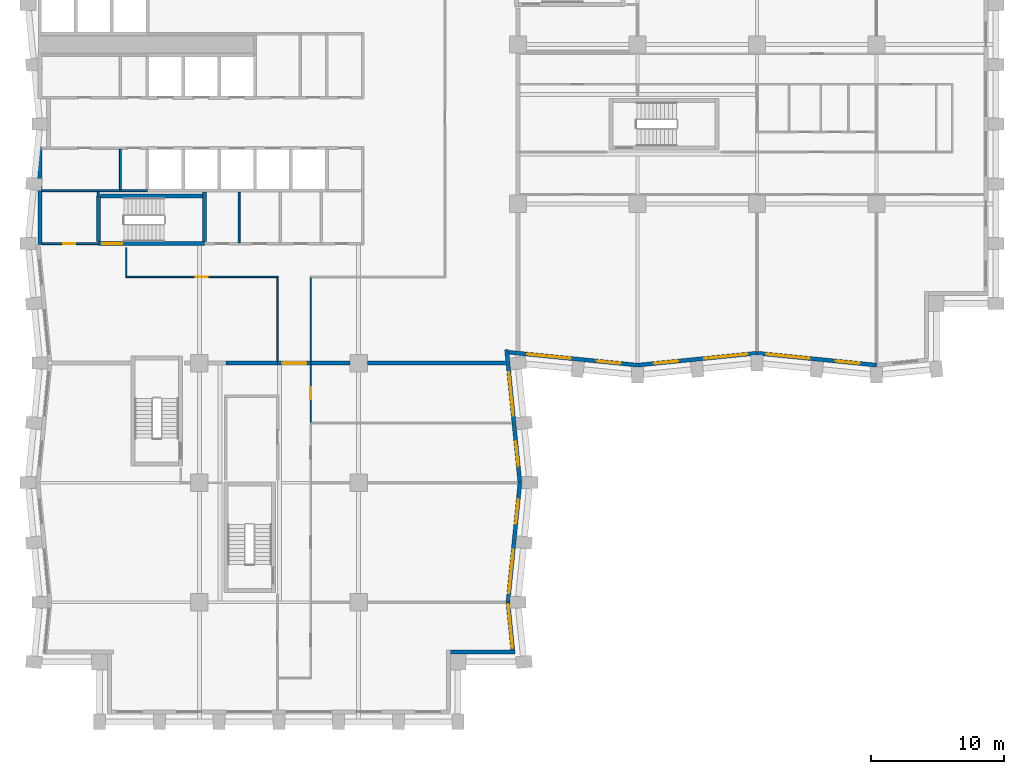
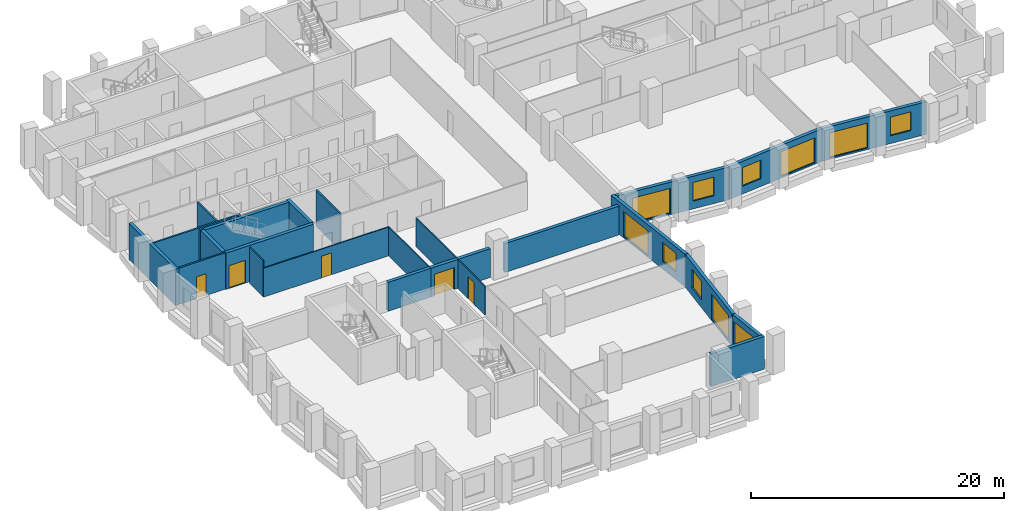
# One storey, part 4 of 11: 26 walls, 11 windows, 5 doors, 16 openings.
"""IFC4 building model written with IfcOpenShell, lengths in metres."""

from ifc_helpers import new_model, si_unit, direction, frame, frame_2d, origin, place, context, subcontext, project, spatial, rectangle, extrude, material, layer, layer_set, type_object, element, fill, save


model = new_model("IFC4")

# Units and contexts
model_context = context("Model", 3, precision=1e-05, world=origin(), true_north=direction((0.0, 1.0)))
body_context = subcontext(model_context, "Body", "Model", "MODEL_VIEW")
ifc_project = project(units=[si_unit("LENGTHUNIT", "METRE"), si_unit("AREAUNIT", "SQUARE_METRE"), si_unit("VOLUMEUNIT", "CUBIC_METRE"), si_unit("PLANEANGLEUNIT", "RADIAN"), si_unit("MASSUNIT", "GRAM", prefix="KILO")], contexts=[model_context])

# Site, building, storey
site_placement = place(None, origin())
site = spatial("IfcSite", under=ifc_project, at=site_placement, CompositionType="ELEMENT")
building_placement = place(site_placement, origin())
building = spatial("IfcBuilding", under=site, at=building_placement, Name="Brondeck Convention Tower", CompositionType="ELEMENT")
storey_placement = place(building_placement, frame((0.0, 0.0, 107.5)))
storey = spatial("IfcBuildingStorey", under=building, at=storey_placement, Name="L25", CompositionType="ELEMENT", Elevation=107.5)

# Wall
ifc_material_1 = material(Name="Concrete compartment wall C30/37", Category="concrete")
ifc_layer_1 = layer(ifc_material_1, 0.300048828125)
ifc_layer_set_1 = layer_set([ifc_layer_1], Name="Compartment wall 300")
wall_type_1 = type_object("IfcWallType", Name="Compartment wall 300", PredefinedType="PARTITIONING", material=ifc_layer_set_1)
wall_1_placement = place(storey_placement, frame((14.0, 27.0, 0.0), z_axis=(0.0, 0.0, 1.0), x_axis=(1.0, 0.0, 0.0)))
element("IfcWall", 1, at=wall_1_placement, inside=storey, type_object=wall_type_1, Name="FLR-L25-W022", PredefinedType="PARTITIONING", context=body_context, shape_type="SweptSolid", body=[
    extrude(rectangle(XDim=3.89990234375, YDim=0.300048828125, at=frame_2d((1.949951171875, 0.0))), origin(), (0.0, 0.0, 1.0), 2.780029296875),
])

# Wall, opening, door
wall_2_placement = place(storey_placement, frame((20.39990234375, 27.0, 0.0), z_axis=(0.0, 0.0, 1.0), x_axis=(-1.0, 0.0, 0.0)))
wall_2 = element("IfcWall", 2, at=wall_2_placement, inside=storey, type_object=wall_type_1, Name="FLR-L25-W023", PredefinedType="PARTITIONING", context=body_context, shape_type="SweptSolid", body=[
    extrude(rectangle(XDim=2.5, YDim=0.300048828125, at=frame_2d((1.25, 0.0))), origin(), (0.0, 0.0, 1.0), 2.780029296875),
])
opening_1_placement = place(wall_2_placement, frame((0.35009765625, 0.0, 0.0)))
opening_1 = element("IfcOpeningElement", 3, at=opening_1_placement, cuts=wall_2, Name="Opening OF-B-021", PredefinedType="OPENING", context=body_context, shape_type="SweptSolid", body=[
    extrude(rectangle(XDim=1.800048828125, YDim=2.10009765625, at=frame_2d((0.89990234375, 1.050048828125))), frame((0.0, 0.159912109375, 0.0), z_axis=(0.0, -1.0, 0.0), x_axis=(1.0, 0.0, 0.0)), (0.0, 0.0, 1.0), 0.320068359375),
])
ifc_material_2 = material(Name="Steel fire door pair", Category="steel")
door_type_1 = type_object("IfcDoorType", Name="Fire door pair 1800", OperationType="DOUBLE_DOOR_SINGLE_SWING", PredefinedType="DOOR", material=ifc_material_2)
door_1_placement = place(opening_1_placement, origin())
door_1 = element("IfcDoor", 4, at=door_1_placement, inside=storey, type_object=door_type_1, Name="Door OF-B-021", OperationType="DOUBLE_DOOR_SINGLE_SWING", OverallHeight=2.10009765625, OverallWidth=1.800048828125, PredefinedType="DOOR", context=body_context, shape_type="SweptSolid", body=[
    extrude(rectangle(XDim=1.800048828125, YDim=2.10009765625, at=frame_2d((0.89990234375, 1.050048828125))), frame((0.0, 0.02490234375, 0.0), z_axis=(0.0, -1.0, 0.0), x_axis=(1.0, 0.0, 0.0)), (0.0, 0.0, 1.0), 0.050048828125),
])
fill(opening_1, door_1)

# Walls
wall_3_placement = place(storey_placement, frame((20.39990234375, 27.0, 0.0), z_axis=(0.0, 0.0, 1.0), x_axis=(1.0, 0.0, 0.0)))
element("IfcWall", 5, at=wall_3_placement, inside=storey, type_object=wall_type_1, Name="FLR-L25-W024", PredefinedType="PARTITIONING", context=body_context, shape_type="SweptSolid", body=[
    extrude(rectangle(XDim=2.945068359375, YDim=0.300048828125, at=frame_2d((1.47265625, 0.0))), origin(), (0.0, 0.0, 1.0), 2.780029296875),
])
wall_4_placement = place(storey_placement, frame((24.655029296875, 27.0, 0.0), z_axis=(0.0, 0.0, 1.0), x_axis=(1.0, 0.0, 0.0)))
element("IfcWall", 6, at=wall_4_placement, inside=storey, type_object=wall_type_1, Name="FLR-L25-W025", PredefinedType="PARTITIONING", context=body_context, shape_type="SweptSolid", body=[
    extrude(rectangle(XDim=10.42041015625, YDim=0.300048828125, at=frame_2d((5.210205078125, 0.0))), origin(), (0.0, 0.0, 1.0), 2.780029296875),
])
ifc_material_3 = material(Name="Concrete C70/85", Category="concrete")
ifc_layer_2 = layer(ifc_material_3, 0.300048828125)
ifc_layer_set_2 = layer_set([ifc_layer_2], Name="Core outer wall 300 Concrete C70/85")
wall_type_2 = type_object("IfcWallType", Name="Core outer wall 300 Concrete C70/85", PredefinedType="SHEAR", material=ifc_layer_set_2)
wall_5_placement = place(storey_placement, frame((0.0, 35.925048828125, 0.0), z_axis=(0.0, 0.0, 1.0), x_axis=(0.0, 1.0, 0.0)))
element("IfcWall", 7, at=wall_5_placement, inside=storey, type_object=wall_type_2, Name="L25 core wall", PredefinedType="SHEAR", context=body_context, shape_type="SweptSolid", body=[
    extrude(rectangle(XDim=7.349853515625, YDim=0.300048828125, at=frame_2d((3.6748046875, 0.0))), origin(), (0.0, 0.0, 1.0), 3.5),
])

# Wall, opening, door
ifc_material_4 = material(Name="Fire-rated gypsum board partition")
ifc_layer_3 = layer(ifc_material_4, 0.14990234375)
ifc_layer_set_3 = layer_set([ifc_layer_3], Name="Core partition 150 EI 60")
wall_type_3 = type_object("IfcWallType", Name="Core partition 150 EI 60", PredefinedType="PARTITIONING", material=ifc_layer_set_3)
wall_6_placement = place(storey_placement, frame((0.14990234375, 36.0, 0.0), z_axis=(0.0, 0.0, 1.0), x_axis=(1.0, 0.0, 0.0)))
wall_6 = element("IfcWall", 8, at=wall_6_placement, inside=storey, type_object=wall_type_3, Name="L25 core wall", PredefinedType="PARTITIONING", context=body_context, shape_type="SweptSolid", body=[
    extrude(rectangle(XDim=4.25, YDim=0.14990234375, at=frame_2d((2.125, 0.0))), origin(), (0.0, 0.0, 1.0), 3.5),
])
opening_2_placement = place(wall_6_placement, frame((1.60009765625, 0.0, 0.0)))
opening_2 = element("IfcOpeningElement", 9, at=opening_2_placement, cuts=wall_6, Name="Opening C15-07", PredefinedType="OPENING", context=body_context, shape_type="SweptSolid", body=[
    extrude(rectangle(XDim=0.89990234375, YDim=2.10009765625, at=frame_2d((0.449951171875, 1.050048828125))), frame((0.0, 0.0849609375, 0.0), z_axis=(0.0, -1.0, 0.0), x_axis=(1.0, 0.0, 0.0)), (0.0, 0.0, 1.0), 0.169921875),
])
ifc_material_5 = material(Name="Steel fire door", Category="steel")
door_type_2 = type_object("IfcDoorType", Name="Room door 900x2100 EI 60", OperationType="NOTDEFINED", PredefinedType="DOOR", material=ifc_material_5)
door_2_placement = place(opening_2_placement, origin())
door_2 = element("IfcDoor", 10, at=door_2_placement, inside=storey, type_object=door_type_2, Name="L25 Room door FRW-1", OperationType="SINGLE_SWING_LEFT", OverallHeight=2.10009765625, OverallWidth=0.89990234375, PredefinedType="DOOR", context=body_context, shape_type="SweptSolid", body=[
    extrude(rectangle(XDim=0.89990234375, YDim=2.10009765625, at=frame_2d((0.449951171875, 1.050048828125))), frame((0.0, 0.02490234375, 0.0), z_axis=(0.0, -1.0, 0.0), x_axis=(1.0, 0.0, 0.0)), (0.0, 0.0, 1.0), 0.050048828125),
])
fill(opening_2, door_2)

# Walls
wall_7_placement = place(storey_placement, frame((0.14990234375, 40.0, 0.0), z_axis=(0.0, 0.0, 1.0), x_axis=(1.0, 0.0, 0.0)))
element("IfcWall", 11, at=wall_7_placement, inside=storey, type_object=wall_type_3, Name="L25 core wall", PredefinedType="PARTITIONING", context=body_context, shape_type="SweptSolid", body=[
    extrude(rectangle(XDim=7.9501953125, YDim=0.14990234375, at=frame_2d((3.97509765625, 0.0))), origin(), (0.0, 0.0, 1.0), 3.5),
])
wall_8_placement = place(storey_placement, frame((4.39990234375, 39.60009765625, 0.0), z_axis=(0.0, 0.0, 1.0), x_axis=(0.0, 1.0, 0.0)))
element("IfcWall", 12, at=wall_8_placement, inside=storey, type_object=wall_type_3, Name="L25 core wall", PredefinedType="PARTITIONING", context=body_context, shape_type="SweptSolid", body=[
    extrude(rectangle(XDim=0.324951171875, YDim=0.14990234375, at=frame_2d((0.16259765625, 0.0))), origin(), (0.0, 0.0, 1.0), 3.5),
])
wall_9_placement = place(storey_placement, frame((6.050048828125, 40.074951171875, 0.0), z_axis=(0.0, 0.0, 1.0), x_axis=(0.0, 1.0, 0.0)))
element("IfcWall", 13, at=wall_9_placement, inside=storey, type_object=wall_type_3, Name="L25 core wall", PredefinedType="PARTITIONING", context=body_context, shape_type="SweptSolid", body=[
    extrude(rectangle(XDim=3.050048828125, YDim=0.14990234375, at=frame_2d((1.52490234375, 0.0))), origin(), (0.0, 0.0, 1.0), 3.5),
])
wall_10_placement = place(storey_placement, frame((15.0, 36.074951171875, 0.0), z_axis=(0.0, 0.0, 1.0), x_axis=(0.0, 1.0, 0.0)))
element("IfcWall", 14, at=wall_10_placement, inside=storey, type_object=wall_type_3, Name="L25 core wall", PredefinedType="PARTITIONING", context=body_context, shape_type="SweptSolid", body=[
    extrude(rectangle(XDim=3.800048828125, YDim=0.14990234375, at=frame_2d((1.89990234375, 0.0))), origin(), (0.0, 0.0, 1.0), 3.5),
])
ifc_material_6 = material(Name="Precast concrete C50/60 bronze finish", Category="concrete")
ifc_layer_4 = layer(ifc_material_6, 0.070068359375, Name="Bronze precast facing")
ifc_material_7 = material(Name="Mineral wool")
ifc_layer_5 = layer(ifc_material_7, 0.159912109375, Name="Insulation")
ifc_material_8 = material(Name="Concrete C35/45", Category="concrete")
ifc_layer_6 = layer(ifc_material_8, 0.070068359375, Name="Backing")
ifc_layer_set_4 = layer_set([ifc_layer_4, ifc_layer_5, ifc_layer_6], Name="External infill wall, precast concrete C50/60 bronze facing")
wall_type_4 = type_object("IfcWallType", Name="External infill wall, precast concrete C50/60 bronze facing", PredefinedType="SOLIDWALL", material=ifc_layer_set_4)
wall_11_placement = place(storey_placement, frame((35.787109375, 5.25, 0.0), z_axis=(0.0, 0.0, 1.0), x_axis=(-1.0, 0.0, 0.0)))
element("IfcWall", 15, at=wall_11_placement, inside=storey, type_object=wall_type_4, Name="ENV-EW-L25-P0-NC-SEB0-02", PredefinedType="SOLIDWALL", context=body_context, shape_type="SweptSolid", body=[
    extrude(rectangle(XDim=4.88720703125, YDim=0.300048828125, at=frame_2d((2.443603515625, 0.0))), origin(), (0.0, 0.0, 1.0), 3.14990234375),
])

# Wall, opening, window
wall_12_placement = place(storey_placement, frame((35.244873046875, 9.014892578125, 0.0), z_axis=(0.0, 0.0, 1.0), x_axis=(0.099470401798, -0.995040521369, 0.0)))
wall_12 = element("IfcWall", 16, at=wall_12_placement, inside=storey, type_object=wall_type_4, Name="ENV-EW-L25-P0-B-E-04", PredefinedType="SOLIDWALL", context=body_context, shape_type="SweptSolid", body=[
    extrude(rectangle(XDim=3.627685546875, YDim=0.300048828125, at=frame_2d((1.81396484375, 0.0))), origin(), (0.0, 0.0, 1.0), 3.14990234375),
])
opening_3_placement = place(wall_12_placement, frame((0.177734375, 0.0, 0.14990234375)))
opening_3 = element("IfcOpeningElement", 17, at=opening_3_placement, cuts=wall_12, Name="Opening W9", PredefinedType="OPENING", context=body_context, shape_type="SweptSolid", body=[
    extrude(rectangle(XDim=3.300048828125, YDim=2.39990234375, at=frame_2d((1.64990234375, 1.199951171875))), frame((0.0, 0.159912109375, 0.0), z_axis=(0.0, -1.0, 0.0), x_axis=(1.0, 0.0, 0.0)), (0.0, 0.0, 1.0), 0.320068359375),
])
ifc_material_9 = material(Name="Bronze tinted double glazing", Category="glass")
window_type_1 = type_object("IfcWindowType", Name="Glazed flute window, bronze tinted", PartitioningType="SINGLE_PANEL", PredefinedType="WINDOW", material=ifc_material_9)
window_1_placement = place(opening_3_placement, origin())
window_1 = element("IfcWindow", 18, at=window_1_placement, inside=storey, type_object=window_type_1, Name="ENV-WN-L25-P0-B-E-04", OverallHeight=2.39990234375, OverallWidth=3.300048828125, PartitioningType="SINGLE_PANEL", PredefinedType="WINDOW", context=body_context, shape_type="SweptSolid", body=[
    extrude(rectangle(XDim=3.300048828125, YDim=2.39990234375, at=frame_2d((1.64990234375, 1.199951171875))), frame((0.0, 0.030029296875, 0.0), z_axis=(0.0, -1.0, 0.0), x_axis=(1.0, 0.0, 0.0)), (0.0, 0.0, 1.0), 0.06005859375),
])
fill(opening_3, window_1)

# Wall, openings, windows
wall_13_placement = place(storey_placement, frame((36.147705078125, 18.014892578125, 0.0), z_axis=(0.0, 0.0, 1.0), x_axis=(-0.099495688264, -0.995037993253, 0.0)))
wall_13 = element("IfcWall", 19, at=wall_13_placement, inside=storey, type_object=wall_type_4, Name="ENV-EW-L25-P0-B-E-03", PredefinedType="SOLIDWALL", context=body_context, shape_type="SweptSolid", body=[
    extrude(rectangle(XDim=9.030029296875, YDim=0.300048828125, at=frame_2d((4.51513671875, 0.0))), origin(), (0.0, 0.0, 1.0), 3.14990234375),
])
opening_4_placement = place(wall_13_placement, frame((1.30126953125, 0.0, 0.75)))
opening_4 = element("IfcOpeningElement", 20, at=opening_4_placement, cuts=wall_13, Name="Opening W10", PredefinedType="OPENING", context=body_context, shape_type="SweptSolid", body=[
    extrude(rectangle(XDim=1.800048828125, YDim=1.800048828125, at=frame_2d((0.89990234375, 0.89990234375))), frame((0.0, 0.159912109375, 0.0), z_axis=(0.0, -1.0, 0.0), x_axis=(1.0, 0.0, 0.0)), (0.0, 0.0, 1.0), 0.320068359375),
])
opening_5_placement = place(wall_13_placement, frame((5.073486328125, 0.0, 0.14990234375)))
opening_5 = element("IfcOpeningElement", 21, at=opening_5_placement, cuts=wall_13, Name="Opening W9", PredefinedType="OPENING", context=body_context, shape_type="SweptSolid", body=[
    extrude(rectangle(XDim=3.300048828125, YDim=2.39990234375, at=frame_2d((1.64990234375, 1.199951171875))), frame((0.0, 0.159912109375, 0.0), z_axis=(0.0, -1.0, 0.0), x_axis=(1.0, 0.0, 0.0)), (0.0, 0.0, 1.0), 0.320068359375),
])
window_2_placement = place(opening_5_placement, origin())
window_2 = element("IfcWindow", 22, at=window_2_placement, inside=storey, type_object=window_type_1, Name="ENV-WN-L25-P0-B-E-03", OverallHeight=2.39990234375, OverallWidth=3.300048828125, PartitioningType="SINGLE_PANEL", PredefinedType="WINDOW", context=body_context, shape_type="SweptSolid", body=[
    extrude(rectangle(XDim=3.300048828125, YDim=2.39990234375, at=frame_2d((1.64990234375, 1.199951171875))), frame((0.0, 0.030029296875, 0.0), z_axis=(0.0, -1.0, 0.0), x_axis=(1.0, 0.0, 0.0)), (0.0, 0.0, 1.0), 0.06005859375),
])
fill(opening_5, window_2)
window_type_2 = type_object("IfcWindowType", Name="Punched window, bronze tinted", PartitioningType="SINGLE_PANEL", PredefinedType="WINDOW", material=ifc_material_9)
window_3_placement = place(opening_4_placement, origin())
window_3 = element("IfcWindow", 23, at=window_3_placement, inside=storey, type_object=window_type_2, Name="ENV-WN-L25-P0-B-E-02", OverallHeight=1.800048828125, OverallWidth=1.800048828125, PartitioningType="SINGLE_PANEL", PredefinedType="WINDOW", context=body_context, shape_type="SweptSolid", body=[
    extrude(rectangle(XDim=1.800048828125, YDim=1.800048828125, at=frame_2d((0.89990234375, 0.89990234375))), frame((0.0, 0.030029296875, 0.0), z_axis=(0.0, -1.0, 0.0), x_axis=(1.0, 0.0, 0.0)), (0.0, 0.0, 1.0), 0.06005859375),
])
fill(opening_4, window_3)

wall_14_placement = place(storey_placement, frame((35.144287109375, 28.02001953125, 0.0), z_axis=(0.0, 0.0, 1.0), x_axis=(0.099503719021, -0.99503719021, 0.0)))
wall_14 = element("IfcWall", 24, at=wall_14_placement, inside=storey, type_object=wall_type_4, Name="ENV-EW-L25-P0-B-E-01", PredefinedType="SOLIDWALL", context=body_context, shape_type="SweptSolid", body=[
    extrude(rectangle(XDim=10.0400390625, YDim=0.300048828125, at=frame_2d((5.02001953125, 0.0))), origin(), (0.0, 0.0, 1.0), 3.14990234375),
])
opening_6_placement = place(wall_14_placement, frame((1.711181640625, 0.0, 0.14990234375)))
opening_6 = element("IfcOpeningElement", 25, at=opening_6_placement, cuts=wall_14, Name="Opening W9", PredefinedType="OPENING", context=body_context, shape_type="SweptSolid", body=[
    extrude(rectangle(XDim=3.300048828125, YDim=2.39990234375, at=frame_2d((1.64990234375, 1.199951171875))), frame((0.0, 0.159912109375, 0.0), z_axis=(0.0, -1.0, 0.0), x_axis=(1.0, 0.0, 0.0)), (0.0, 0.0, 1.0), 0.320068359375),
])
opening_7_placement = place(wall_14_placement, frame((6.983642578125, 0.0, 0.75)))
opening_7 = element("IfcOpeningElement", 26, at=opening_7_placement, cuts=wall_14, Name="Opening W10", PredefinedType="OPENING", context=body_context, shape_type="SweptSolid", body=[
    extrude(rectangle(XDim=1.800048828125, YDim=1.800048828125, at=frame_2d((0.89990234375, 0.89990234375))), frame((0.0, 0.159912109375, 0.0), z_axis=(0.0, -1.0, 0.0), x_axis=(1.0, 0.0, 0.0)), (0.0, 0.0, 1.0), 0.320068359375),
])
window_4_placement = place(opening_6_placement, origin())
window_4 = element("IfcWindow", 27, at=window_4_placement, inside=storey, type_object=window_type_1, Name="ENV-WN-L25-P0-B-E-00", OverallHeight=2.39990234375, OverallWidth=3.300048828125, PartitioningType="SINGLE_PANEL", PredefinedType="WINDOW", context=body_context, shape_type="SweptSolid", body=[
    extrude(rectangle(XDim=3.300048828125, YDim=2.39990234375, at=frame_2d((1.64990234375, 1.199951171875))), frame((0.0, 0.030029296875, 0.0), z_axis=(0.0, -1.0, 0.0), x_axis=(1.0, 0.0, 0.0)), (0.0, 0.0, 1.0), 0.06005859375),
])
fill(opening_6, window_4)
window_5_placement = place(opening_7_placement, origin())
window_5 = element("IfcWindow", 28, at=window_5_placement, inside=storey, type_object=window_type_2, Name="ENV-WN-L25-P0-B-E-01", OverallHeight=1.800048828125, OverallWidth=1.800048828125, PartitioningType="SINGLE_PANEL", PredefinedType="WINDOW", context=body_context, shape_type="SweptSolid", body=[
    extrude(rectangle(XDim=1.800048828125, YDim=1.800048828125, at=frame_2d((0.89990234375, 0.89990234375))), frame((0.0, 0.030029296875, 0.0), z_axis=(0.0, -1.0, 0.0), x_axis=(1.0, 0.0, 0.0)), (0.0, 0.0, 1.0), 0.06005859375),
])
fill(opening_7, window_5)

wall_15_placement = place(storey_placement, frame((45.014892578125, 26.852294921875, 0.0), z_axis=(0.0, 0.0, 1.0), x_axis=(-0.995037438546, 0.099501235631, 0.0)))
wall_15 = element("IfcWall", 29, at=wall_15_placement, inside=storey, type_object=wall_type_4, Name="ENV-EW-L25-P0-A-S-00", PredefinedType="SOLIDWALL", context=body_context, shape_type="SweptSolid", body=[
    extrude(rectangle(XDim=9.733642578125, YDim=0.300048828125, at=frame_2d((4.86669921875, 0.0))), origin(), (0.0, 0.0, 1.0), 3.14990234375),
])
opening_8_placement = place(wall_15_placement, frame((1.30126953125, 0.0, 0.75)))
opening_8 = element("IfcOpeningElement", 30, at=opening_8_placement, cuts=wall_15, Name="Opening W10", PredefinedType="OPENING", context=body_context, shape_type="SweptSolid", body=[
    extrude(rectangle(XDim=1.800048828125, YDim=1.800048828125, at=frame_2d((0.89990234375, 0.89990234375))), frame((0.0, 0.159912109375, 0.0), z_axis=(0.0, -1.0, 0.0), x_axis=(1.0, 0.0, 0.0)), (0.0, 0.0, 1.0), 0.320068359375),
])
opening_9_placement = place(wall_15_placement, frame((5.073486328125, 0.0, 0.14990234375)))
opening_9 = element("IfcOpeningElement", 31, at=opening_9_placement, cuts=wall_15, Name="Opening W9", PredefinedType="OPENING", context=body_context, shape_type="SweptSolid", body=[
    extrude(rectangle(XDim=3.300048828125, YDim=2.39990234375, at=frame_2d((1.64990234375, 1.199951171875))), frame((0.0, 0.159912109375, 0.0), z_axis=(0.0, -1.0, 0.0), x_axis=(1.0, 0.0, 0.0)), (0.0, 0.0, 1.0), 0.320068359375),
])
window_6_placement = place(opening_9_placement, origin())
window_6 = element("IfcWindow", 32, at=window_6_placement, inside=storey, type_object=window_type_1, Name="ENV-WN-L25-P0-A-S-00", OverallHeight=2.39990234375, OverallWidth=3.300048828125, PartitioningType="SINGLE_PANEL", PredefinedType="WINDOW", context=body_context, shape_type="SweptSolid", body=[
    extrude(rectangle(XDim=3.300048828125, YDim=2.39990234375, at=frame_2d((1.64990234375, 1.199951171875))), frame((0.0, 0.030029296875, 0.0), z_axis=(0.0, -1.0, 0.0), x_axis=(1.0, 0.0, 0.0)), (0.0, 0.0, 1.0), 0.06005859375),
])
fill(opening_9, window_6)
window_7_placement = place(opening_8_placement, origin())
window_7 = element("IfcWindow", 33, at=window_7_placement, inside=storey, type_object=window_type_2, Name="ENV-WN-L25-P0-A-S-01", OverallHeight=1.800048828125, OverallWidth=1.800048828125, PartitioningType="SINGLE_PANEL", PredefinedType="WINDOW", context=body_context, shape_type="SweptSolid", body=[
    extrude(rectangle(XDim=1.800048828125, YDim=1.800048828125, at=frame_2d((0.89990234375, 0.89990234375))), frame((0.0, 0.030029296875, 0.0), z_axis=(0.0, -1.0, 0.0), x_axis=(1.0, 0.0, 0.0)), (0.0, 0.0, 1.0), 0.06005859375),
])
fill(opening_8, window_7)

wall_16_placement = place(storey_placement, frame((54.014892578125, 27.755126953125, 0.0), z_axis=(0.0, 0.0, 1.0), x_axis=(-0.995037993253, -0.099495688264, 0.0)))
wall_16 = element("IfcWall", 34, at=wall_16_placement, inside=storey, type_object=wall_type_4, Name="ENV-EW-L25-P0-A-S-02", PredefinedType="SOLIDWALL", context=body_context, shape_type="SweptSolid", body=[
    extrude(rectangle(XDim=9.030029296875, YDim=0.300048828125, at=frame_2d((4.51513671875, 0.0))), origin(), (0.0, 0.0, 1.0), 3.14990234375),
])
opening_10_placement = place(wall_16_placement, frame((0.701171875, 0.0, 0.14990234375)))
opening_10 = element("IfcOpeningElement", 35, at=opening_10_placement, cuts=wall_16, Name="Opening W9", PredefinedType="OPENING", context=body_context, shape_type="SweptSolid", body=[
    extrude(rectangle(XDim=3.300048828125, YDim=2.39990234375, at=frame_2d((1.64990234375, 1.199951171875))), frame((0.0, 0.159912109375, 0.0), z_axis=(0.0, -1.0, 0.0), x_axis=(1.0, 0.0, 0.0)), (0.0, 0.0, 1.0), 0.320068359375),
])
opening_11_placement = place(wall_16_placement, frame((5.9736328125, 0.0, 0.75)))
opening_11 = element("IfcOpeningElement", 36, at=opening_11_placement, cuts=wall_16, Name="Opening W10", PredefinedType="OPENING", context=body_context, shape_type="SweptSolid", body=[
    extrude(rectangle(XDim=1.800048828125, YDim=1.800048828125, at=frame_2d((0.89990234375, 0.89990234375))), frame((0.0, 0.159912109375, 0.0), z_axis=(0.0, -1.0, 0.0), x_axis=(1.0, 0.0, 0.0)), (0.0, 0.0, 1.0), 0.320068359375),
])
window_8_placement = place(opening_10_placement, origin())
window_8 = element("IfcWindow", 37, at=window_8_placement, inside=storey, type_object=window_type_1, Name="ENV-WN-L25-P0-A-S-03", OverallHeight=2.39990234375, OverallWidth=3.300048828125, PartitioningType="SINGLE_PANEL", PredefinedType="WINDOW", context=body_context, shape_type="SweptSolid", body=[
    extrude(rectangle(XDim=3.300048828125, YDim=2.39990234375, at=frame_2d((1.64990234375, 1.199951171875))), frame((0.0, 0.030029296875, 0.0), z_axis=(0.0, -1.0, 0.0), x_axis=(1.0, 0.0, 0.0)), (0.0, 0.0, 1.0), 0.06005859375),
])
fill(opening_10, window_8)
window_9_placement = place(opening_11_placement, origin())
window_9 = element("IfcWindow", 38, at=window_9_placement, inside=storey, type_object=window_type_2, Name="ENV-WN-L25-P0-A-S-02", OverallHeight=1.800048828125, OverallWidth=1.800048828125, PartitioningType="SINGLE_PANEL", PredefinedType="WINDOW", context=body_context, shape_type="SweptSolid", body=[
    extrude(rectangle(XDim=1.800048828125, YDim=1.800048828125, at=frame_2d((0.89990234375, 0.89990234375))), frame((0.0, 0.030029296875, 0.0), z_axis=(0.0, -1.0, 0.0), x_axis=(1.0, 0.0, 0.0)), (0.0, 0.0, 1.0), 0.06005859375),
])
fill(opening_11, window_9)

wall_17_placement = place(storey_placement, frame((63.014892578125, 26.852294921875, 0.0), z_axis=(0.0, 0.0, 1.0), x_axis=(-0.995037993253, 0.099495688264, 0.0)))
wall_17 = element("IfcWall", 39, at=wall_17_placement, inside=storey, type_object=wall_type_4, Name="ENV-EW-L25-P0-A-S-04", PredefinedType="SOLIDWALL", context=body_context, shape_type="SweptSolid", body=[
    extrude(rectangle(XDim=9.030029296875, YDim=0.300048828125, at=frame_2d((4.51513671875, 0.0))), origin(), (0.0, 0.0, 1.0), 3.14990234375),
])
opening_12_placement = place(wall_17_placement, frame((1.30126953125, 0.0, 0.75)))
opening_12 = element("IfcOpeningElement", 40, at=opening_12_placement, cuts=wall_17, Name="Opening W10", PredefinedType="OPENING", context=body_context, shape_type="SweptSolid", body=[
    extrude(rectangle(XDim=1.800048828125, YDim=1.800048828125, at=frame_2d((0.89990234375, 0.89990234375))), frame((0.0, 0.159912109375, 0.0), z_axis=(0.0, -1.0, 0.0), x_axis=(1.0, 0.0, 0.0)), (0.0, 0.0, 1.0), 0.320068359375),
])
opening_13_placement = place(wall_17_placement, frame((5.073486328125, 0.0, 0.14990234375)))
opening_13 = element("IfcOpeningElement", 41, at=opening_13_placement, cuts=wall_17, Name="Opening W9", PredefinedType="OPENING", context=body_context, shape_type="SweptSolid", body=[
    extrude(rectangle(XDim=3.300048828125, YDim=2.39990234375, at=frame_2d((1.64990234375, 1.199951171875))), frame((0.0, 0.159912109375, 0.0), z_axis=(0.0, -1.0, 0.0), x_axis=(1.0, 0.0, 0.0)), (0.0, 0.0, 1.0), 0.320068359375),
])
window_10_placement = place(opening_13_placement, origin())
window_10 = element("IfcWindow", 42, at=window_10_placement, inside=storey, type_object=window_type_1, Name="ENV-WN-L25-P0-A-S-04", OverallHeight=2.39990234375, OverallWidth=3.300048828125, PartitioningType="SINGLE_PANEL", PredefinedType="WINDOW", context=body_context, shape_type="SweptSolid", body=[
    extrude(rectangle(XDim=3.300048828125, YDim=2.39990234375, at=frame_2d((1.64990234375, 1.199951171875))), frame((0.0, 0.030029296875, 0.0), z_axis=(0.0, -1.0, 0.0), x_axis=(1.0, 0.0, 0.0)), (0.0, 0.0, 1.0), 0.06005859375),
])
fill(opening_13, window_10)
window_11_placement = place(opening_12_placement, origin())
window_11 = element("IfcWindow", 43, at=window_11_placement, inside=storey, type_object=window_type_2, Name="ENV-WN-L25-P0-A-S-05", OverallHeight=1.800048828125, OverallWidth=1.800048828125, PartitioningType="SINGLE_PANEL", PredefinedType="WINDOW", context=body_context, shape_type="SweptSolid", body=[
    extrude(rectangle(XDim=1.800048828125, YDim=1.800048828125, at=frame_2d((0.89990234375, 0.89990234375))), frame((0.0, 0.030029296875, 0.0), z_axis=(0.0, -1.0, 0.0), x_axis=(1.0, 0.0, 0.0)), (0.0, 0.0, 1.0), 0.06005859375),
])
fill(opening_12, window_11)

# Wall, opening, door
ifc_material_10 = material(Name="Gypsum board partition on steel studs", Category="steel")
ifc_layer_7 = layer(ifc_material_10, 0.10009765625)
ifc_layer_set_5 = layer_set([ifc_layer_7], Name="Room partition 100")
wall_type_5 = type_object("IfcWallType", Name="Room partition 100", PredefinedType="PARTITIONING", material=ifc_layer_set_5)
wall_18_placement = place(storey_placement, frame((20.39990234375, 26.830078125, 0.0), z_axis=(0.0, 0.0, 1.0), x_axis=(0.0, -1.0, 0.0)))
wall_18 = element("IfcWall", 44, at=wall_18_placement, inside=storey, type_object=wall_type_5, Name="FLR-L25-W018", PredefinedType="PARTITIONING", context=body_context, shape_type="SweptSolid", body=[
    extrude(rectangle(XDim=4.280029296875, YDim=0.10009765625, at=frame_2d((2.14013671875, 0.0))), origin(), (0.0, 0.0, 1.0), 2.780029296875),
])
opening_14_placement = place(wall_18_placement, frame((1.6298828125, 0.0, 0.0)))
opening_14 = element("IfcOpeningElement", 45, at=opening_14_placement, cuts=wall_18, Name="Opening OF-B-014", PredefinedType="OPENING", context=body_context, shape_type="SweptSolid", body=[
    extrude(rectangle(XDim=0.89990234375, YDim=2.10009765625, at=frame_2d((0.449951171875, 1.050048828125))), frame((0.0, 0.06005859375, 0.0), z_axis=(0.0, -1.0, 0.0), x_axis=(1.0, 0.0, 0.0)), (0.0, 0.0, 1.0), 0.1201171875),
])
ifc_material_11 = material(Name="Solid timber door leaf", Category="wood")
door_type_3 = type_object("IfcDoorType", Name="Single door 900", OperationType="NOTDEFINED", PredefinedType="DOOR", material=ifc_material_11)
door_3_placement = place(opening_14_placement, origin())
door_3 = element("IfcDoor", 46, at=door_3_placement, inside=storey, type_object=door_type_3, Name="Door OF-B-014", OperationType="SINGLE_SWING_LEFT", OverallHeight=2.10009765625, OverallWidth=0.89990234375, PredefinedType="DOOR", context=body_context, shape_type="SweptSolid", body=[
    extrude(rectangle(XDim=0.89990234375, YDim=2.10009765625, at=frame_2d((0.449951171875, 1.050048828125))), frame((0.0, 0.02490234375, 0.0), z_axis=(0.0, -1.0, 0.0), x_axis=(1.0, 0.0, 0.0)), (0.0, 0.0, 1.0), 0.050048828125),
])
fill(opening_14, door_3)

# Walls
for number, where, z_axis, x_axis, name in (
    (47, (17.89990234375, 27.169921875, 0.0), (0.0, 0.0, 1.0), (0.0, 1.0, 0.0), "FLR-L25-W026"),
    (48, (20.39990234375, 33.449951171875, 0.0), (0.0, 0.0, 1.0), (0.0, -1.0, 0.0), "FLR-L25-W028"),
):
    element("IfcWall", number, at=place(storey_placement, frame(where, z_axis=z_axis, x_axis=x_axis)), inside=storey, type_object=wall_type_5, Name=name, PredefinedType="PARTITIONING", context=body_context, shape_type="SweptSolid", body=[
        extrude(rectangle(XDim=6.280029296875, YDim=0.10009765625, at=frame_2d((3.14013671875, 0.0))), origin(), (0.0, 0.0, 1.0), 2.780029296875),
    ])

# Wall, opening, door
wall_19_placement = place(storey_placement, frame((17.949951171875, 33.5, 0.0), z_axis=(0.0, 0.0, 1.0), x_axis=(-1.0, 0.0, 0.0)))
wall_19 = element("IfcWall", 49, at=wall_19_placement, inside=storey, type_object=wall_type_5, Name="FLR-L25-W029", PredefinedType="PARTITIONING", context=body_context, shape_type="SweptSolid", body=[
    extrude(rectangle(XDim=11.5, YDim=0.10009765625, at=frame_2d((5.75, 0.0))), origin(), (0.0, 0.0, 1.0), 2.780029296875),
])
opening_15_placement = place(wall_19_placement, frame((5.300048828125, 0.0, 0.0)))
opening_15 = element("IfcOpeningElement", 50, at=opening_15_placement, cuts=wall_19, Name="Opening OF-B-019", PredefinedType="OPENING", context=body_context, shape_type="SweptSolid", body=[
    extrude(rectangle(XDim=0.89990234375, YDim=2.10009765625, at=frame_2d((0.449951171875, 1.050048828125))), frame((0.0, 0.06005859375, 0.0), z_axis=(0.0, -1.0, 0.0), x_axis=(1.0, 0.0, 0.0)), (0.0, 0.0, 1.0), 0.1201171875),
])
door_4_placement = place(opening_15_placement, origin())
door_4 = element("IfcDoor", 51, at=door_4_placement, inside=storey, type_object=door_type_3, Name="Door OF-B-019", OperationType="SINGLE_SWING_LEFT", OverallHeight=2.10009765625, OverallWidth=0.89990234375, PredefinedType="DOOR", context=body_context, shape_type="SweptSolid", body=[
    extrude(rectangle(XDim=0.89990234375, YDim=2.10009765625, at=frame_2d((0.449951171875, 1.050048828125))), frame((0.0, 0.02490234375, 0.0), z_axis=(0.0, -1.0, 0.0), x_axis=(1.0, 0.0, 0.0)), (0.0, 0.0, 1.0), 0.050048828125),
])
fill(opening_15, door_4)

# Wall
wall_20_placement = place(storey_placement, frame((6.5, 33.550048828125, 0.0), z_axis=(0.0, 0.0, 1.0), x_axis=(0.0, 1.0, 0.0)))
element("IfcWall", 52, at=wall_20_placement, inside=storey, type_object=wall_type_5, Name="FLR-L25-W031", PredefinedType="PARTITIONING", context=body_context, shape_type="SweptSolid", body=[
    extrude(rectangle(XDim=2.14990234375, YDim=0.10009765625, at=frame_2d((1.074951171875, 0.0))), origin(), (0.0, 0.0, 1.0), 3.47998046875),
])

# Wall, opening, door
ifc_layer_8 = layer(ifc_material_3, 0.300048828125)
ifc_layer_set_6 = layer_set([ifc_layer_8], Name="Stair enclosure wall 300 Concrete C70/85")
wall_type_6 = type_object("IfcWallType", Name="Stair enclosure wall 300 Concrete C70/85", PredefinedType="SHEAR", material=ifc_layer_set_6)
wall_21_placement = place(storey_placement, frame((4.39990234375, 36.0, 0.0), z_axis=(0.0, 0.0, 1.0), x_axis=(1.0, 0.0, 0.0)))
wall_21 = element("IfcWall", 53, at=wall_21_placement, inside=storey, type_object=wall_type_6, Name="L25 core wall", PredefinedType="SHEAR", context=body_context, shape_type="SweptSolid", body=[
    extrude(rectangle(XDim=8.0, YDim=0.300048828125, at=frame_2d((4.0, 0.0))), origin(), (0.0, 0.0, 1.0), 3.5),
])
opening_16_placement = place(wall_21_placement, frame((0.300048828125, 0.0, 0.0)))
opening_16 = element("IfcOpeningElement", 54, at=opening_16_placement, cuts=wall_21, Name="Opening C15-16", PredefinedType="OPENING", context=body_context, shape_type="SweptSolid", body=[
    extrude(rectangle(XDim=1.5, YDim=2.199951171875, at=frame_2d((0.75, 1.10009765625))), frame((0.0, 0.159912109375, 0.0), z_axis=(0.0, -1.0, 0.0), x_axis=(1.0, 0.0, 0.0)), (0.0, 0.0, 1.0), 0.320068359375),
])
door_type_4 = type_object("IfcDoorType", Name="Stair door 1500x2200 EI 90", OperationType="NOTDEFINED", PredefinedType="DOOR", material=ifc_material_5)
door_5_placement = place(opening_16_placement, origin())
door_5 = element("IfcDoor", 55, at=door_5_placement, inside=storey, type_object=door_type_4, Name="L25 Stair door ST-1", OperationType="SINGLE_SWING_RIGHT", OverallHeight=2.199951171875, OverallWidth=1.5, PredefinedType="DOOR", context=body_context, shape_type="SweptSolid", body=[
    extrude(rectangle(XDim=1.5, YDim=2.199951171875, at=frame_2d((0.75, 1.10009765625))), frame((0.0, 0.02490234375, 0.0), z_axis=(0.0, -1.0, 0.0), x_axis=(1.0, 0.0, 0.0)), (0.0, 0.0, 1.0), 0.050048828125),
])
fill(opening_16, door_5)

# Walls
wall_22_placement = place(storey_placement, frame((4.550048828125, 39.60009765625, 0.0), z_axis=(0.0, 0.0, 1.0), x_axis=(1.0, 0.0, 0.0)))
element("IfcWall", 56, at=wall_22_placement, inside=storey, type_object=wall_type_6, Name="L25 core wall", PredefinedType="SHEAR", context=body_context, shape_type="SweptSolid", body=[
    extrude(rectangle(XDim=7.699951171875, YDim=0.300048828125, at=frame_2d((3.85009765625, 0.0))), origin(), (0.0, 0.0, 1.0), 3.5),
])
wall_23_placement = place(storey_placement, frame((4.39990234375, 36.14990234375, 0.0), z_axis=(0.0, 0.0, 1.0), x_axis=(0.0, 1.0, 0.0)))
element("IfcWall", 57, at=wall_23_placement, inside=storey, type_object=wall_type_6, Name="L25 core wall", PredefinedType="SHEAR", context=body_context, shape_type="SweptSolid", body=[
    extrude(rectangle(XDim=3.4501953125, YDim=0.300048828125, at=frame_2d((1.72509765625, 0.0))), origin(), (0.0, 0.0, 1.0), 3.5),
])
wall_24_placement = place(storey_placement, frame((12.39990234375, 36.14990234375, 0.0), z_axis=(0.0, 0.0, 1.0), x_axis=(0.0, 1.0, 0.0)))
element("IfcWall", 58, at=wall_24_placement, inside=storey, type_object=wall_type_6, Name="L25 core wall", PredefinedType="SHEAR", context=body_context, shape_type="SweptSolid", body=[
    extrude(rectangle(XDim=3.72509765625, YDim=0.300048828125, at=frame_2d((1.862548828125, 0.0))), origin(), (0.0, 0.0, 1.0), 3.5),
])

save(model, "model.ifc")
